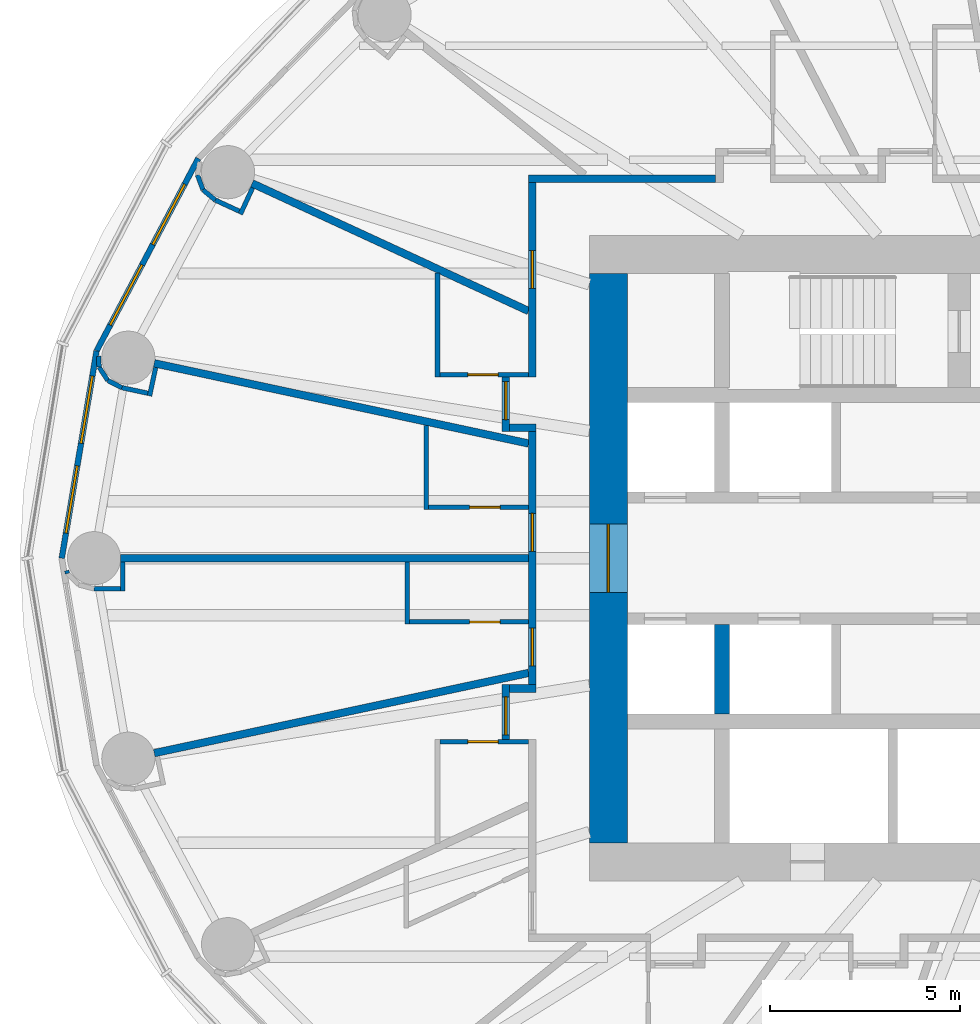
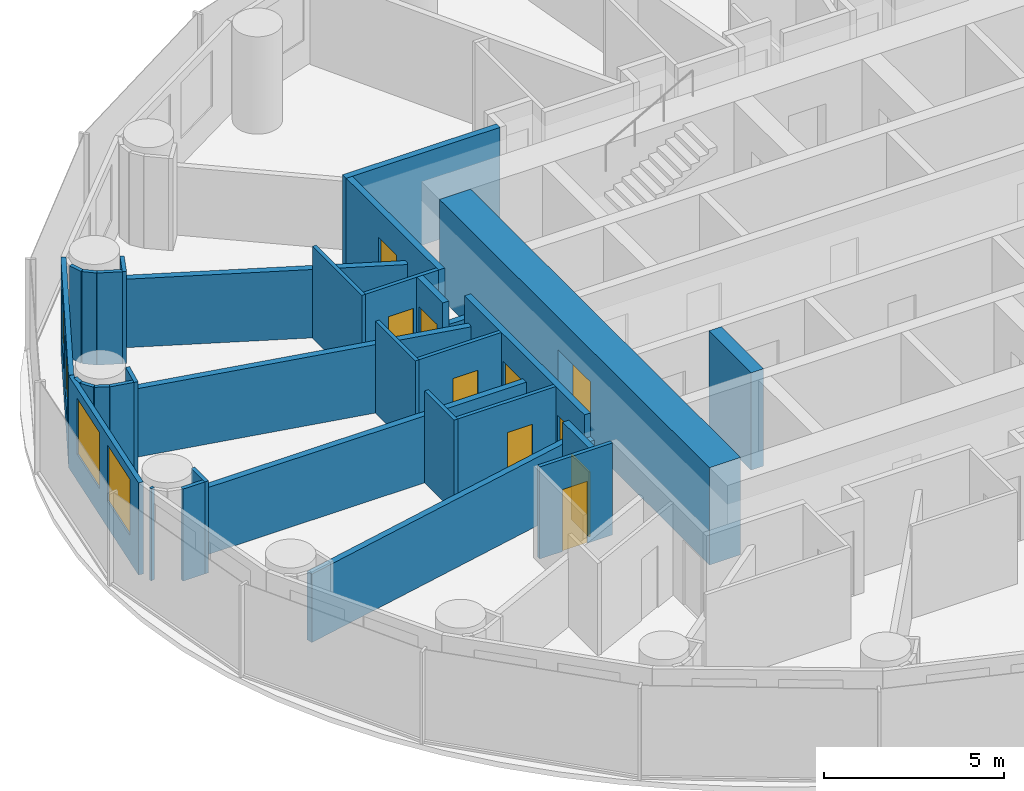
# One storey, part 8 of 14: 34 walls, 10 doors, 4 windows, 14 openings.
"""IFC4 building model written with IfcOpenShell, lengths in metres."""

from ifc_helpers import new_model, si_unit, direction, frame, frame_2d, origin, place, context, subcontext, project, spatial, rectangle, extrude, material, layer, layer_set, type_object, element, fill, save


model = new_model("IFC4")

# Units and contexts
model_context = context("Model", 3, precision=1e-05, world=origin(), true_north=direction((0.0, 1.0)))
body_context = subcontext(model_context, "Body", "Model", "MODEL_VIEW")
ifc_project = project(units=[si_unit("LENGTHUNIT", "METRE"), si_unit("AREAUNIT", "SQUARE_METRE"), si_unit("VOLUMEUNIT", "CUBIC_METRE"), si_unit("PLANEANGLEUNIT", "RADIAN"), si_unit("MASSUNIT", "GRAM", prefix="KILO")], contexts=[model_context])

# Site, building, storey
site_placement = place(None, origin())
site = spatial("IfcSite", under=ifc_project, at=site_placement, CompositionType="ELEMENT")
building_placement = place(site_placement, origin())
building = spatial("IfcBuilding", under=site, at=building_placement, Name="Hankou Lantern Tower", CompositionType="ELEMENT")
storey_placement = place(building_placement, frame((0.0, 0.0, 57.300048828125)))
storey = spatial("IfcBuildingStorey", under=building, at=storey_placement, Name="L13", CompositionType="ELEMENT", Elevation=57.300048828125)

# Wall, opening, door
ifc_material_1 = material(Name="Concrete C60", Category="concrete")
ifc_layer_1 = layer(ifc_material_1, 1.0)
ifc_layer_set_1 = layer_set([ifc_layer_1], Name="Concrete C60")
wall_type_1 = type_object("IfcWallType", Name="CW1 CORE WALL 1000", PredefinedType="SHEAR", material=ifc_layer_set_1)
wall_1_placement = place(storey_placement, frame((-12.0, 7.5, 0.0), z_axis=(0.0, 0.0, 1.0), x_axis=(0.0, -1.0, 0.0)))
wall_1 = element("IfcWall", 1, at=wall_1_placement, inside=storey, type_object=wall_type_1, Name="Core wall west L13", PredefinedType="SHEAR", context=body_context, shape_type="SweptSolid", body=[
    extrude(rectangle(XDim=15.0, YDim=1.0, at=frame_2d((7.5, 0.0))), origin(), (0.0, 0.0, 1.0), 3.300048828125),
])
opening_1_placement = place(wall_1_placement, frame((6.60009765625, 0.0, 0.0)))
opening_1 = element("IfcOpeningElement", 2, at=opening_1_placement, cuts=wall_1, Name="Opening D6", PredefinedType="OPENING", context=body_context, shape_type="SweptSolid", body=[
    extrude(rectangle(XDim=1.800048828125, YDim=2.199951171875, at=frame_2d((0.89990234375, 1.10009765625))), frame((0.0, 0.510009765625, 0.0), z_axis=(0.0, -1.0, 0.0), x_axis=(1.0, 0.0, 0.0)), (0.0, 0.0, 1.0), 1.02001953125),
])
ifc_material_2 = material(Name="Steel door leaf", Category="steel")
door_type_1 = type_object("IfcDoorType", Name="D6 LIFT LOBBY DOOR 1800X2200", OperationType="DOUBLE_DOOR_DOUBLE_SWING", PredefinedType="DOOR", material=ifc_material_2)
door_1_placement = place(opening_1_placement, origin())
door_1 = element("IfcDoor", 3, at=door_1_placement, inside=storey, type_object=door_type_1, Name="Lift lobby west door", OperationType="DOUBLE_DOOR_DOUBLE_SWING", OverallHeight=2.199951171875, OverallWidth=1.800048828125, PredefinedType="DOOR", context=body_context, shape_type="SweptSolid", body=[
    extrude(rectangle(XDim=1.800048828125, YDim=2.199951171875, at=frame_2d((0.89990234375, 1.10009765625))), frame((0.0, 0.02490234375, 0.0), z_axis=(0.0, -1.0, 0.0), x_axis=(1.0, 0.0, 0.0)), (0.0, 0.0, 1.0), 0.050048828125),
])
fill(opening_1, door_1)

# Wall
ifc_material_3 = material(Name="Concrete C60", Category="concrete")
ifc_layer_2 = layer(ifc_material_3, 0.39990234375)
ifc_layer_set_2 = layer_set([ifc_layer_2], Name="Concrete C60")
wall_type_2 = type_object("IfcWallType", Name="CW4 CORE CROSS WALL 400", PredefinedType="SHEAR", material=ifc_layer_set_2)
wall_2_placement = place(storey_placement, frame((-9.0, -4.10009765625, 0.0), z_axis=(0.0, 0.0, 1.0), x_axis=(0.0, 1.0, 0.0)))
element("IfcWall", 4, at=wall_2_placement, inside=storey, type_object=wall_type_2, Name="Core strip wall L13", PredefinedType="SHEAR", context=body_context, shape_type="SweptSolid", body=[
    extrude(rectangle(XDim=2.35009765625, YDim=0.39990234375, at=frame_2d((1.175048828125, 0.0))), origin(), (0.0, 0.0, 1.0), 3.300048828125),
])

# Wall, openings, windows
ifc_material_4 = material(Name="Aluminium spandrel panel on steel studs", Category="steel")
ifc_layer_3 = layer(ifc_material_4, 0.14990234375)
ifc_layer_set_3 = layer_set([ifc_layer_3], Name="Aluminium spandrel panel on steel studs")
wall_type_3 = type_object("IfcWallType", Name="EW1 INNER SKIN WALL 150", PredefinedType="ELEMENTEDWALL", material=ifc_layer_set_3)
wall_3_placement = place(storey_placement, frame((-22.802734375, 10.5322265625, 0.0), z_axis=(0.0, 0.0, 1.0), x_axis=(-0.467296867008, -0.884100468321, 0.0)))
wall_3 = element("IfcWall", 5, at=wall_3_placement, inside=storey, type_object=wall_type_3, Name="Inner skin R11-R12 L13", PredefinedType="ELEMENTEDWALL", context=body_context, shape_type="SweptSolid", body=[
    extrude(rectangle(XDim=5.734375, YDim=0.14990234375, at=frame_2d((2.8671875, 0.0))), origin(), (0.0, 0.0, 1.0), 3.119873046875),
])
opening_2_placement = place(wall_3_placement, frame((0.76708984375, 0.0, 0.89990234375)))
opening_2 = element("IfcOpeningElement", 6, at=opening_2_placement, cuts=wall_3, Name="Opening W1", PredefinedType="OPENING", context=body_context, shape_type="SweptSolid", body=[
    extrude(rectangle(XDim=1.800048828125, YDim=1.89990234375, at=frame_2d((0.89990234375, 0.949951171875))), frame((0.0, 0.0849609375, 0.0), z_axis=(0.0, -1.0, 0.0), x_axis=(1.0, 0.0, 0.0)), (0.0, 0.0, 1.0), 0.169921875),
])
opening_3_placement = place(wall_3_placement, frame((3.167236328125, 0.0, 0.89990234375)))
opening_3 = element("IfcOpeningElement", 7, at=opening_3_placement, cuts=wall_3, Name="Opening W1", PredefinedType="OPENING", context=body_context, shape_type="SweptSolid", body=[
    extrude(rectangle(XDim=1.800048828125, YDim=1.89990234375, at=frame_2d((0.89990234375, 0.949951171875))), frame((0.0, 0.0849609375, 0.0), z_axis=(0.0, -1.0, 0.0), x_axis=(1.0, 0.0, 0.0)), (0.0, 0.0, 1.0), 0.169921875),
])
ifc_material_5 = material(Name="Aluminium framed double glazed window", Category="aluminium")
window_type = type_object("IfcWindowType", Name="W1 GUEST ROOM WINDOW 1800X1900", PartitioningType="DOUBLE_PANEL_VERTICAL", PredefinedType="WINDOW", material=ifc_material_5)
window_1_placement = place(opening_2_placement, origin())
window_1 = element("IfcWindow", 8, at=window_1_placement, inside=storey, type_object=window_type, Name="Window R11.1 L13", OverallHeight=1.89990234375, OverallWidth=1.800048828125, PartitioningType="SINGLE_PANEL", PredefinedType="WINDOW", context=body_context, shape_type="SweptSolid", body=[
    extrude(rectangle(XDim=1.800048828125, YDim=1.89990234375, at=frame_2d((0.89990234375, 0.949951171875))), frame((0.0, 0.030029296875, 0.0), z_axis=(0.0, -1.0, 0.0), x_axis=(1.0, 0.0, 0.0)), (0.0, 0.0, 1.0), 0.06005859375),
])
fill(opening_2, window_1)
window_2_placement = place(opening_3_placement, origin())
window_2 = element("IfcWindow", 9, at=window_2_placement, inside=storey, type_object=window_type, Name="Window R11.2 L13", OverallHeight=1.89990234375, OverallWidth=1.800048828125, PartitioningType="SINGLE_PANEL", PredefinedType="WINDOW", context=body_context, shape_type="SweptSolid", body=[
    extrude(rectangle(XDim=1.800048828125, YDim=1.89990234375, at=frame_2d((0.89990234375, 0.949951171875))), frame((0.0, 0.030029296875, 0.0), z_axis=(0.0, -1.0, 0.0), x_axis=(1.0, 0.0, 0.0)), (0.0, 0.0, 1.0), 0.06005859375),
])
fill(opening_3, window_2)

wall_4_placement = place(storey_placement, frame((-25.482421875, 5.46240234375, 0.0), z_axis=(0.0, 0.0, 1.0), x_axis=(-0.165642551694, -0.986185857264, 0.0)))
wall_4 = element("IfcWall", 10, at=wall_4_placement, inside=storey, type_object=wall_type_3, Name="Inner skin R12-R13 L13", PredefinedType="ELEMENTEDWALL", context=body_context, shape_type="SweptSolid", body=[
    extrude(rectangle(XDim=5.538818359375, YDim=0.14990234375, at=frame_2d((2.76953125, 0.0))), origin(), (0.0, 0.0, 1.0), 3.119873046875),
])
opening_4_placement = place(wall_4_placement, frame((0.66943359375, 0.0, 0.89990234375)))
opening_4 = element("IfcOpeningElement", 11, at=opening_4_placement, cuts=wall_4, Name="Opening W1", PredefinedType="OPENING", context=body_context, shape_type="SweptSolid", body=[
    extrude(rectangle(XDim=1.800048828125, YDim=1.89990234375, at=frame_2d((0.89990234375, 0.949951171875))), frame((0.0, 0.0849609375, 0.0), z_axis=(0.0, -1.0, 0.0), x_axis=(1.0, 0.0, 0.0)), (0.0, 0.0, 1.0), 0.169921875),
])
opening_5_placement = place(wall_4_placement, frame((3.069580078125, 0.0, 0.89990234375)))
opening_5 = element("IfcOpeningElement", 12, at=opening_5_placement, cuts=wall_4, Name="Opening W1", PredefinedType="OPENING", context=body_context, shape_type="SweptSolid", body=[
    extrude(rectangle(XDim=1.800048828125, YDim=1.89990234375, at=frame_2d((0.89990234375, 0.949951171875))), frame((0.0, 0.0849609375, 0.0), z_axis=(0.0, -1.0, 0.0), x_axis=(1.0, 0.0, 0.0)), (0.0, 0.0, 1.0), 0.169921875),
])
window_3_placement = place(opening_4_placement, origin())
window_3 = element("IfcWindow", 13, at=window_3_placement, inside=storey, type_object=window_type, Name="Window R12.1 L13", OverallHeight=1.89990234375, OverallWidth=1.800048828125, PartitioningType="SINGLE_PANEL", PredefinedType="WINDOW", context=body_context, shape_type="SweptSolid", body=[
    extrude(rectangle(XDim=1.800048828125, YDim=1.89990234375, at=frame_2d((0.89990234375, 0.949951171875))), frame((0.0, 0.030029296875, 0.0), z_axis=(0.0, -1.0, 0.0), x_axis=(1.0, 0.0, 0.0)), (0.0, 0.0, 1.0), 0.06005859375),
])
fill(opening_4, window_3)
window_4_placement = place(opening_5_placement, origin())
window_4 = element("IfcWindow", 14, at=window_4_placement, inside=storey, type_object=window_type, Name="Window R12.2 L13", OverallHeight=1.89990234375, OverallWidth=1.800048828125, PartitioningType="SINGLE_PANEL", PredefinedType="WINDOW", context=body_context, shape_type="SweptSolid", body=[
    extrude(rectangle(XDim=1.800048828125, YDim=1.89990234375, at=frame_2d((0.89990234375, 0.949951171875))), frame((0.0, 0.030029296875, 0.0), z_axis=(0.0, -1.0, 0.0), x_axis=(1.0, 0.0, 0.0)), (0.0, 0.0, 1.0), 0.06005859375),
])
fill(opening_5, window_4)

# Walls
ifc_material_6 = material(Name="Masonry lightweight concrete block", Category="masonry")
ifc_layer_4 = layer(ifc_material_6, 0.199951171875)
ifc_layer_set_4 = layer_set([ifc_layer_4], Name="Masonry lightweight concrete block")
wall_type_4 = type_object("IfcWallType", Name="IW1 GUEST ROOM PARTY WALL 200", PredefinedType="PARTITIONING", material=ifc_layer_set_4)
wall_5_placement = place(storey_placement, frame((-14.10009765625, 3.0224609375, 0.0), z_axis=(0.0, 0.0, 1.0), x_axis=(-0.977790014929, 0.209586943072, 0.0)))
element("IfcWall", 15, at=wall_5_placement, inside=storey, type_object=wall_type_4, Name="Party wall R12", PredefinedType="PARTITIONING", context=body_context, shape_type="SweptSolid", body=[
    extrude(rectangle(XDim=10.086669921875, YDim=0.199951171875, at=frame_2d((5.04345703125, 0.0))), origin(), (0.0, 0.0, 1.0), 2.320068359375),
])
wall_6_placement = place(storey_placement, frame((-14.10009765625, 0.0, 0.0), z_axis=(0.0, 0.0, 1.0), x_axis=(-1.0, 0.0, 0.0)))
element("IfcWall", 16, at=wall_6_placement, inside=storey, type_object=wall_type_4, Name="Party wall R13", PredefinedType="PARTITIONING", context=body_context, shape_type="SweptSolid", body=[
    extrude(rectangle(XDim=10.75, YDim=0.199951171875, at=frame_2d((5.375, 0.0))), origin(), (0.0, 0.0, 1.0), 2.27001953125),
])
wall_7_placement = place(storey_placement, frame((-14.10009765625, -3.0224609375, 0.0), z_axis=(0.0, 0.0, 1.0), x_axis=(-0.977790014929, -0.209586943072, 0.0)))
element("IfcWall", 17, at=wall_7_placement, inside=storey, type_object=wall_type_4, Name="Party wall R14", PredefinedType="PARTITIONING", context=body_context, shape_type="SweptSolid", body=[
    extrude(rectangle(XDim=10.086669921875, YDim=0.199951171875, at=frame_2d((5.04345703125, 0.0))), origin(), (0.0, 0.0, 1.0), 2.320068359375),
])

# Wall, opening, door
ifc_material_7 = material(Name="Masonry lightweight concrete block", Category="masonry")
ifc_layer_5 = layer(ifc_material_7, 0.199951171875)
ifc_layer_set_5 = layer_set([ifc_layer_5], Name="Masonry lightweight concrete block")
wall_type_5 = type_object("IfcWallType", Name="IW2 CORRIDOR WALL 200", PredefinedType="PARTITIONING", material=ifc_layer_set_5)
wall_8_placement = place(storey_placement, frame((-14.699951171875, 4.7724609375, 0.0), z_axis=(0.0, 0.0, 1.0), x_axis=(0.0, -1.0, 0.0)))
wall_8 = element("IfcWall", 18, at=wall_8_placement, inside=storey, type_object=wall_type_5, Name="Corridor recess wall 1307 back", PredefinedType="PARTITIONING", context=body_context, shape_type="SweptSolid", body=[
    extrude(rectangle(XDim=1.43994140625, YDim=0.199951171875, at=frame_2d((0.719970703125, 0.0))), origin(), (0.0, 0.0, 1.0), 3.119873046875),
])
opening_6_placement = place(wall_8_placement, frame((0.1201171875, 0.0, 0.0)))
opening_6 = element("IfcOpeningElement", 19, at=opening_6_placement, cuts=wall_8, Name="Opening D1", PredefinedType="OPENING", context=body_context, shape_type="SweptSolid", body=[
    extrude(rectangle(XDim=1.0, YDim=2.199951171875, at=frame_2d((0.5, 1.10009765625))), frame((0.0, 0.10986328125, 0.0), z_axis=(0.0, -1.0, 0.0), x_axis=(1.0, 0.0, 0.0)), (0.0, 0.0, 1.0), 0.219970703125),
])
ifc_material_8 = material(Name="Steel door leaf", Category="steel")
door_type_2 = type_object("IfcDoorType", Name="D1 GUEST ROOM DOOR 1000X2200", OperationType="SINGLE_SWING_LEFT", PredefinedType="DOOR", material=ifc_material_8)
door_2_placement = place(opening_6_placement, origin())
door_2 = element("IfcDoor", 20, at=door_2_placement, inside=storey, type_object=door_type_2, Name="Guest room door 1307", OperationType="SINGLE_SWING_LEFT", OverallHeight=2.199951171875, OverallWidth=1.0, PredefinedType="DOOR", context=body_context, shape_type="SweptSolid", body=[
    extrude(rectangle(XDim=1.0, YDim=2.199951171875, at=frame_2d((0.5, 1.10009765625))), frame((0.0, 0.02490234375, 0.0), z_axis=(0.0, -1.0, 0.0), x_axis=(1.0, 0.0, 0.0)), (0.0, 0.0, 1.0), 0.050048828125),
])
fill(opening_6, door_2)

# Wall
wall_9_placement = place(storey_placement, frame((-13.89990234375, 3.4326171875, 0.0), z_axis=(0.0, 0.0, 1.0), x_axis=(-1.0, 0.0, 0.0)))
element("IfcWall", 21, at=wall_9_placement, inside=storey, type_object=wall_type_5, Name="Corridor recess wall 1307 side", PredefinedType="PARTITIONING", context=body_context, shape_type="SweptSolid", body=[
    extrude(rectangle(XDim=0.7001953125, YDim=0.199951171875, at=frame_2d((0.35009765625, 0.0))), origin(), (0.0, 0.0, 1.0), 2.320068359375),
])

# Wall, opening, door
wall_10_placement = place(storey_placement, frame((-14.699951171875, -3.33251953125, 0.0), z_axis=(0.0, 0.0, 1.0), x_axis=(0.0, -1.0, 0.0)))
wall_10 = element("IfcWall", 22, at=wall_10_placement, inside=storey, type_object=wall_type_5, Name="Corridor recess wall 1310 back", PredefinedType="PARTITIONING", context=body_context, shape_type="SweptSolid", body=[
    extrude(rectangle(XDim=1.43994140625, YDim=0.199951171875, at=frame_2d((0.719970703125, 0.0))), origin(), (0.0, 0.0, 1.0), 3.119873046875),
])
opening_7_placement = place(wall_10_placement, frame((0.320068359375, 0.0, 0.0)))
opening_7 = element("IfcOpeningElement", 23, at=opening_7_placement, cuts=wall_10, Name="Opening D1", PredefinedType="OPENING", context=body_context, shape_type="SweptSolid", body=[
    extrude(rectangle(XDim=1.0, YDim=2.199951171875, at=frame_2d((0.5, 1.10009765625))), frame((0.0, 0.10986328125, 0.0), z_axis=(0.0, -1.0, 0.0), x_axis=(1.0, 0.0, 0.0)), (0.0, 0.0, 1.0), 0.219970703125),
])
door_3_placement = place(opening_7_placement, origin())
door_3 = element("IfcDoor", 24, at=door_3_placement, inside=storey, type_object=door_type_2, Name="Guest room door 1310", OperationType="SINGLE_SWING_RIGHT", OverallHeight=2.199951171875, OverallWidth=1.0, PredefinedType="DOOR", context=body_context, shape_type="SweptSolid", body=[
    extrude(rectangle(XDim=1.0, YDim=2.199951171875, at=frame_2d((0.5, 1.10009765625))), frame((0.0, 0.02490234375, 0.0), z_axis=(0.0, -1.0, 0.0), x_axis=(1.0, 0.0, 0.0)), (0.0, 0.0, 1.0), 0.050048828125),
])
fill(opening_7, door_3)

# Walls
wall_11_placement = place(storey_placement, frame((-13.89990234375, -3.4326171875, 0.0), z_axis=(0.0, 0.0, 1.0), x_axis=(-1.0, 0.0, 0.0)))
element("IfcWall", 25, at=wall_11_placement, inside=storey, type_object=wall_type_5, Name="Corridor recess wall 1310 side", PredefinedType="PARTITIONING", context=body_context, shape_type="SweptSolid", body=[
    extrude(rectangle(XDim=0.7001953125, YDim=0.199951171875, at=frame_2d((0.35009765625, 0.0))), origin(), (0.0, 0.0, 1.0), 2.320068359375),
])
wall_12_placement = place(storey_placement, frame((-14.10009765625, 10.0, 0.0), z_axis=(0.0, 0.0, 1.0), x_axis=(1.0, 0.0, 0.0)))
element("IfcWall", 26, at=wall_12_placement, inside=storey, type_object=wall_type_5, Name="Corridor wall north", PredefinedType="PARTITIONING", context=body_context, shape_type="SweptSolid", body=[
    extrude(rectangle(XDim=4.931396484375, YDim=0.199951171875, at=frame_2d((2.4658203125, 0.0))), origin(), (0.0, 0.0, 1.0), 3.119873046875),
])

# Wall, opening, door
wall_13_placement = place(storey_placement, frame((-14.0, 9.89990234375, 0.0), z_axis=(0.0, 0.0, 1.0), x_axis=(0.0, -1.0, 0.0)))
wall_13 = element("IfcWall", 27, at=wall_13_placement, inside=storey, type_object=wall_type_5, Name="Corridor wall west", PredefinedType="PARTITIONING", context=body_context, shape_type="SweptSolid", body=[
    extrude(rectangle(XDim=5.12744140625, YDim=0.199951171875, at=frame_2d((2.563720703125, 0.0))), origin(), (0.0, 0.0, 1.0), 3.119873046875),
])
opening_8_placement = place(wall_13_placement, frame((1.79248046875, 0.0, 0.0)))
opening_8 = element("IfcOpeningElement", 28, at=opening_8_placement, cuts=wall_13, Name="Opening D28", PredefinedType="OPENING", context=body_context, shape_type="SweptSolid", body=[
    extrude(rectangle(XDim=1.0, YDim=2.199951171875, at=frame_2d((0.5, 1.10009765625))), frame((0.0, 0.10986328125, 0.0), z_axis=(0.0, -1.0, 0.0), x_axis=(1.0, 0.0, 0.0)), (0.0, 0.0, 1.0), 0.219970703125),
])
ifc_material_9 = material(Name="Steel door leaf", Category="steel")
door_type_3 = type_object("IfcDoorType", Name="D28 SERVICE DOOR 1000X2200", OperationType="SINGLE_SWING_LEFT", PredefinedType="DOOR", material=ifc_material_9)
door_4_placement = place(opening_8_placement, origin())
door_4 = element("IfcDoor", 29, at=door_4_placement, inside=storey, type_object=door_type_3, Name="Service door 1306", OperationType="SINGLE_SWING_LEFT", OverallHeight=2.199951171875, OverallWidth=1.0, PredefinedType="DOOR", context=body_context, shape_type="SweptSolid", body=[
    extrude(rectangle(XDim=1.0, YDim=2.199951171875, at=frame_2d((0.5, 1.10009765625))), frame((0.0, 0.02490234375, 0.0), z_axis=(0.0, -1.0, 0.0), x_axis=(1.0, 0.0, 0.0)), (0.0, 0.0, 1.0), 0.050048828125),
])
fill(opening_8, door_4)

# Wall, openings, doors
wall_14_placement = place(storey_placement, frame((-14.0, 3.33251953125, 0.0), z_axis=(0.0, 0.0, 1.0), x_axis=(0.0, -1.0, 0.0)))
wall_14 = element("IfcWall", 30, at=wall_14_placement, inside=storey, type_object=wall_type_5, Name="Corridor wall west", PredefinedType="PARTITIONING", context=body_context, shape_type="SweptSolid", body=[
    extrude(rectangle(XDim=6.6650390625, YDim=0.199951171875, at=frame_2d((3.33251953125, 0.0))), origin(), (0.0, 0.0, 1.0), 3.119873046875),
])
opening_9_placement = place(wall_14_placement, frame((2.14990234375, 0.0, 0.0)))
opening_9 = element("IfcOpeningElement", 31, at=opening_9_placement, cuts=wall_14, Name="Opening D1", PredefinedType="OPENING", context=body_context, shape_type="SweptSolid", body=[
    extrude(rectangle(XDim=1.0, YDim=2.199951171875, at=frame_2d((0.5, 1.10009765625))), frame((0.0, 0.10986328125, 0.0), z_axis=(0.0, -1.0, 0.0), x_axis=(1.0, 0.0, 0.0)), (0.0, 0.0, 1.0), 0.219970703125),
])
opening_10_placement = place(wall_14_placement, frame((5.172607421875, 0.0, 0.0)))
opening_10 = element("IfcOpeningElement", 32, at=opening_10_placement, cuts=wall_14, Name="Opening D1", PredefinedType="OPENING", context=body_context, shape_type="SweptSolid", body=[
    extrude(rectangle(XDim=1.0, YDim=2.199951171875, at=frame_2d((0.5, 1.10009765625))), frame((0.0, 0.10986328125, 0.0), z_axis=(0.0, -1.0, 0.0), x_axis=(1.0, 0.0, 0.0)), (0.0, 0.0, 1.0), 0.219970703125),
])
door_5_placement = place(opening_9_placement, origin())
door_5 = element("IfcDoor", 33, at=door_5_placement, inside=storey, type_object=door_type_2, Name="Guest room door 1308", OperationType="SINGLE_SWING_LEFT", OverallHeight=2.199951171875, OverallWidth=1.0, PredefinedType="DOOR", context=body_context, shape_type="SweptSolid", body=[
    extrude(rectangle(XDim=1.0, YDim=2.199951171875, at=frame_2d((0.5, 1.10009765625))), frame((0.0, 0.02490234375, 0.0), z_axis=(0.0, -1.0, 0.0), x_axis=(1.0, 0.0, 0.0)), (0.0, 0.0, 1.0), 0.050048828125),
])
fill(opening_9, door_5)
door_6_placement = place(opening_10_placement, origin())
door_6 = element("IfcDoor", 34, at=door_6_placement, inside=storey, type_object=door_type_2, Name="Guest room door 1309", OperationType="SINGLE_SWING_RIGHT", OverallHeight=2.199951171875, OverallWidth=1.0, PredefinedType="DOOR", context=body_context, shape_type="SweptSolid", body=[
    extrude(rectangle(XDim=1.0, YDim=2.199951171875, at=frame_2d((0.5, 1.10009765625))), frame((0.0, 0.02490234375, 0.0), z_axis=(0.0, -1.0, 0.0), x_axis=(1.0, 0.0, 0.0)), (0.0, 0.0, 1.0), 0.050048828125),
])
fill(opening_10, door_6)

# Wall
ifc_material_10 = material(Name="Masonry lightweight concrete block", Category="masonry")
ifc_layer_6 = layer(ifc_material_10, 0.1201171875)
ifc_layer_set_6 = layer_set([ifc_layer_6], Name="Masonry lightweight concrete block")
wall_type_6 = type_object("IfcWallType", Name="IW3 BATHROOM WALL 120", PredefinedType="PARTITIONING", material=ifc_layer_set_6)
wall_15_placement = place(storey_placement, frame((-16.5, 7.52099609375, 0.0), z_axis=(0.0, 0.0, 1.0), x_axis=(0.0, -1.0, 0.0)))
element("IfcWall", 35, at=wall_15_placement, inside=storey, type_object=wall_type_6, Name="Box wall 1307 1", PredefinedType="PARTITIONING", context=body_context, shape_type="SweptSolid", body=[
    extrude(rectangle(XDim=2.74853515625, YDim=0.1201171875, at=frame_2d((1.374267578125, 0.0))), origin(), (0.0, 0.0, 1.0), 3.119873046875),
])

# Wall, opening, door
wall_16_placement = place(storey_placement, frame((-14.10009765625, 4.83251953125, 0.0), z_axis=(0.0, 0.0, 1.0), x_axis=(-1.0, 0.0, 0.0)))
wall_16 = element("IfcWall", 36, at=wall_16_placement, inside=storey, type_object=wall_type_6, Name="Box wall 1307 1", PredefinedType="PARTITIONING", context=body_context, shape_type="SweptSolid", body=[
    extrude(rectangle(XDim=2.33984375, YDim=0.1201171875, at=frame_2d((1.169921875, 0.0))), origin(), (0.0, 0.0, 1.0), 3.119873046875),
])
opening_11_placement = place(wall_16_placement, frame((0.800048828125, 0.0, 0.0)))
opening_11 = element("IfcOpeningElement", 37, at=opening_11_placement, cuts=wall_16, Name="Opening D3", PredefinedType="OPENING", context=body_context, shape_type="SweptSolid", body=[
    extrude(rectangle(XDim=0.800048828125, YDim=2.10009765625, at=frame_2d((0.39990234375, 1.050048828125))), frame((0.0, 0.070068359375, 0.0), z_axis=(0.0, -1.0, 0.0), x_axis=(1.0, 0.0, 0.0)), (0.0, 0.0, 1.0), 0.14013671875),
])
ifc_material_11 = material(Name="Timber door leaf", Category="wood")
door_type_4 = type_object("IfcDoorType", Name="D3 BATHROOM DOOR 800X2100", OperationType="SINGLE_SWING_LEFT", PredefinedType="DOOR", material=ifc_material_11)
door_7_placement = place(opening_11_placement, origin())
door_7 = element("IfcDoor", 38, at=door_7_placement, inside=storey, type_object=door_type_4, Name="En-suite bathroom 1307 door", OperationType="SINGLE_SWING_LEFT", OverallHeight=2.10009765625, OverallWidth=0.800048828125, PredefinedType="DOOR", context=body_context, shape_type="SweptSolid", body=[
    extrude(rectangle(XDim=0.800048828125, YDim=2.10009765625, at=frame_2d((0.39990234375, 1.050048828125))), frame((0.0, 0.02490234375, 0.0), z_axis=(0.0, -1.0, 0.0), x_axis=(1.0, 0.0, 0.0)), (0.0, 0.0, 1.0), 0.050048828125),
])
fill(opening_11, door_7)

# Wall
wall_17_placement = place(storey_placement, frame((-16.800048828125, 3.501220703125, 0.0), z_axis=(0.0, 0.0, 1.0), x_axis=(0.0, -1.0, 0.0)))
element("IfcWall", 39, at=wall_17_placement, inside=storey, type_object=wall_type_6, Name="Box wall 1308 1", PredefinedType="PARTITIONING", context=body_context, shape_type="SweptSolid", body=[
    extrude(rectangle(XDim=2.21875, YDim=0.1201171875, at=frame_2d((1.109375, 0.0))), origin(), (0.0, 0.0, 1.0), 3.119873046875),
])

# Wall, opening, door
wall_18_placement = place(storey_placement, frame((-14.10009765625, 1.342529296875, 0.0), z_axis=(0.0, 0.0, 1.0), x_axis=(-1.0, 0.0, 0.0)))
wall_18 = element("IfcWall", 40, at=wall_18_placement, inside=storey, type_object=wall_type_6, Name="Box wall 1308 1", PredefinedType="PARTITIONING", context=body_context, shape_type="SweptSolid", body=[
    extrude(rectangle(XDim=2.639892578125, YDim=0.1201171875, at=frame_2d((1.31982421875, 0.0))), origin(), (0.0, 0.0, 1.0), 3.119873046875),
])
opening_12_placement = place(wall_18_placement, frame((0.75, 0.0, 0.0)))
opening_12 = element("IfcOpeningElement", 41, at=opening_12_placement, cuts=wall_18, Name="Opening D3", PredefinedType="OPENING", context=body_context, shape_type="SweptSolid", body=[
    extrude(rectangle(XDim=0.800048828125, YDim=2.10009765625, at=frame_2d((0.39990234375, 1.050048828125))), frame((0.0, 0.070068359375, 0.0), z_axis=(0.0, -1.0, 0.0), x_axis=(1.0, 0.0, 0.0)), (0.0, 0.0, 1.0), 0.14013671875),
])
door_8_placement = place(opening_12_placement, origin())
door_8 = element("IfcDoor", 42, at=door_8_placement, inside=storey, type_object=door_type_4, Name="En-suite bathroom 1308 door", OperationType="SINGLE_SWING_LEFT", OverallHeight=2.10009765625, OverallWidth=0.800048828125, PredefinedType="DOOR", context=body_context, shape_type="SweptSolid", body=[
    extrude(rectangle(XDim=0.800048828125, YDim=2.10009765625, at=frame_2d((0.39990234375, 1.050048828125))), frame((0.0, 0.02490234375, 0.0), z_axis=(0.0, -1.0, 0.0), x_axis=(1.0, 0.0, 0.0)), (0.0, 0.0, 1.0), 0.050048828125),
])
fill(opening_12, door_8)

# Wall
wall_19_placement = place(storey_placement, frame((-17.300048828125, -0.10009765625, 0.0), z_axis=(0.0, 0.0, 1.0), x_axis=(0.0, -1.0, 0.0)))
element("IfcWall", 43, at=wall_19_placement, inside=storey, type_object=wall_type_6, Name="Box wall 1309 1", PredefinedType="PARTITIONING", context=body_context, shape_type="SweptSolid", body=[
    extrude(rectangle(XDim=1.639892578125, YDim=0.1201171875, at=frame_2d((0.81982421875, 0.0))), origin(), (0.0, 0.0, 1.0), 3.119873046875),
])

# Wall, opening, door
wall_20_placement = place(storey_placement, frame((-14.10009765625, -1.679931640625, 0.0), z_axis=(0.0, 0.0, 1.0), x_axis=(-1.0, 0.0, 0.0)))
wall_20 = element("IfcWall", 44, at=wall_20_placement, inside=storey, type_object=wall_type_6, Name="Box wall 1309 1", PredefinedType="PARTITIONING", context=body_context, shape_type="SweptSolid", body=[
    extrude(rectangle(XDim=3.139892578125, YDim=0.1201171875, at=frame_2d((1.56982421875, 0.0))), origin(), (0.0, 0.0, 1.0), 3.119873046875),
])
opening_13_placement = place(wall_20_placement, frame((0.75, 0.0, 0.0)))
opening_13 = element("IfcOpeningElement", 45, at=opening_13_placement, cuts=wall_20, Name="Opening D3", PredefinedType="OPENING", context=body_context, shape_type="SweptSolid", body=[
    extrude(rectangle(XDim=0.800048828125, YDim=2.10009765625, at=frame_2d((0.39990234375, 1.050048828125))), frame((0.0, 0.070068359375, 0.0), z_axis=(0.0, -1.0, 0.0), x_axis=(1.0, 0.0, 0.0)), (0.0, 0.0, 1.0), 0.14013671875),
])
door_9_placement = place(opening_13_placement, origin())
door_9 = element("IfcDoor", 46, at=door_9_placement, inside=storey, type_object=door_type_4, Name="En-suite bathroom 1309 door", OperationType="SINGLE_SWING_LEFT", OverallHeight=2.10009765625, OverallWidth=0.800048828125, PredefinedType="DOOR", context=body_context, shape_type="SweptSolid", body=[
    extrude(rectangle(XDim=0.800048828125, YDim=2.10009765625, at=frame_2d((0.39990234375, 1.050048828125))), frame((0.0, 0.02490234375, 0.0), z_axis=(0.0, -1.0, 0.0), x_axis=(1.0, 0.0, 0.0)), (0.0, 0.0, 1.0), 0.050048828125),
])
fill(opening_13, door_9)

wall_21_placement = place(storey_placement, frame((-14.10009765625, -4.83251953125, 0.0), z_axis=(0.0, 0.0, 1.0), x_axis=(-1.0, 0.0, 0.0)))
wall_21 = element("IfcWall", 47, at=wall_21_placement, inside=storey, type_object=wall_type_6, Name="Box wall 1310 1", PredefinedType="PARTITIONING", context=body_context, shape_type="SweptSolid", body=[
    extrude(rectangle(XDim=2.33984375, YDim=0.1201171875, at=frame_2d((1.169921875, 0.0))), origin(), (0.0, 0.0, 1.0), 3.119873046875),
])
opening_14_placement = place(wall_21_placement, frame((0.800048828125, 0.0, 0.0)))
opening_14 = element("IfcOpeningElement", 48, at=opening_14_placement, cuts=wall_21, Name="Opening D3", PredefinedType="OPENING", context=body_context, shape_type="SweptSolid", body=[
    extrude(rectangle(XDim=0.800048828125, YDim=2.10009765625, at=frame_2d((0.39990234375, 1.050048828125))), frame((0.0, 0.070068359375, 0.0), z_axis=(0.0, -1.0, 0.0), x_axis=(1.0, 0.0, 0.0)), (0.0, 0.0, 1.0), 0.14013671875),
])
door_10_placement = place(opening_14_placement, origin())
door_10 = element("IfcDoor", 49, at=door_10_placement, inside=storey, type_object=door_type_4, Name="En-suite bathroom 1310 door", OperationType="SINGLE_SWING_RIGHT", OverallHeight=2.10009765625, OverallWidth=0.800048828125, PredefinedType="DOOR", context=body_context, shape_type="SweptSolid", body=[
    extrude(rectangle(XDim=0.800048828125, YDim=2.10009765625, at=frame_2d((0.39990234375, 1.050048828125))), frame((0.0, 0.02490234375, 0.0), z_axis=(0.0, -1.0, 0.0), x_axis=(1.0, 0.0, 0.0)), (0.0, 0.0, 1.0), 0.050048828125),
])
fill(opening_14, door_10)

# Walls
ifc_material_12 = material(Name="Masonry lightweight concrete block", Category="masonry")
ifc_layer_7 = layer(ifc_material_12, 0.1201171875)
ifc_layer_set_7 = layer_set([ifc_layer_7], Name="Masonry lightweight concrete block")
wall_type_7 = type_object("IfcWallType", Name="IW4 PARTITION 120", PredefinedType="PARTITIONING", material=ifc_layer_set_7)
wall_22_placement = place(storey_placement, frame((-21.37109375, 9.7607421875, 0.0), z_axis=(0.0, 0.0, 1.0), x_axis=(-0.419259891039, -0.907866258744, 0.0)))
element("IfcWall", 50, at=wall_22_placement, inside=storey, type_object=wall_type_7, Name="Column casing R11 return", PredefinedType="PARTITIONING", context=body_context, shape_type="SweptSolid", body=[
    extrude(rectangle(XDim=0.767578125, YDim=0.1201171875, at=frame_2d((0.3837890625, 0.0))), origin(), (0.0, 0.0, 1.0), 3.119873046875),
])
wall_23_placement = place(storey_placement, frame((-21.72216796875, 9.1435546875, 0.0), z_axis=(0.0, 0.0, 1.0), x_axis=(-0.907877701396, 0.419235112208, 0.0)))
element("IfcWall", 51, at=wall_23_placement, inside=storey, type_object=wall_type_7, Name="Column casing R11", PredefinedType="PARTITIONING", context=body_context, shape_type="SweptSolid", body=[
    extrude(rectangle(XDim=0.699951171875, YDim=0.1201171875, at=frame_2d((0.35009765625, 0.0))), origin(), (0.0, 0.0, 1.0), 3.119873046875),
])
wall_24_placement = place(storey_placement, frame((-22.357666015625, 9.43701171875, 0.0), z_axis=(0.0, 0.0, 1.0), x_axis=(-0.768412687942, 0.639954639806, 0.0)))
element("IfcWall", 52, at=wall_24_placement, inside=storey, type_object=wall_type_7, Name="Column casing R11", PredefinedType="PARTITIONING", context=body_context, shape_type="SweptSolid", body=[
    extrude(rectangle(XDim=0.418212890625, YDim=0.1201171875, at=frame_2d((0.208984375, 0.0))), origin(), (0.0, 0.0, 1.0), 3.119873046875),
])
wall_25_placement = place(storey_placement, frame((-22.678955078125, 9.70458984375, 0.0), z_axis=(0.0, 0.0, 1.0), x_axis=(-0.345164001646, 0.938542386879, 0.0)))
element("IfcWall", 53, at=wall_25_placement, inside=storey, type_object=wall_type_7, Name="Column casing R11", PredefinedType="PARTITIONING", context=body_context, shape_type="SweptSolid", body=[
    extrude(rectangle(XDim=0.41796875, YDim=0.1201171875, at=frame_2d((0.208984375, 0.0))), origin(), (0.0, 0.0, 1.0), 3.119873046875),
])
wall_26_placement = place(storey_placement, frame((-23.9248046875, 5.026123046875, 0.0), z_axis=(0.0, 0.0, 1.0), x_axis=(-0.209681192172, -0.977769808109, 0.0)))
element("IfcWall", 54, at=wall_26_placement, inside=storey, type_object=wall_type_7, Name="Column casing R12 return", PredefinedType="PARTITIONING", context=body_context, shape_type="SweptSolid", body=[
    extrude(rectangle(XDim=0.767333984375, YDim=0.1201171875, at=frame_2d((0.3837890625, 0.0))), origin(), (0.0, 0.0, 1.0), 3.119873046875),
])
wall_27_placement = place(storey_placement, frame((-24.1318359375, 4.346923828125, 0.0), z_axis=(0.0, 0.0, 1.0), x_axis=(-0.977776882509, 0.209648200638, 0.0)))
element("IfcWall", 55, at=wall_27_placement, inside=storey, type_object=wall_type_7, Name="Column casing R12", PredefinedType="PARTITIONING", context=body_context, shape_type="SweptSolid", body=[
    extrude(rectangle(XDim=0.699951171875, YDim=0.1201171875, at=frame_2d((0.35009765625, 0.0))), origin(), (0.0, 0.0, 1.0), 3.119873046875),
])
for number, where, z_axis, x_axis, name in (
    (56, (-24.816162109375, 4.49365234375, 0.0), (0.0, 0.0, 1.0), (-0.890303208847, 0.455368198623, 0.0), "Column casing R12"),
    (57, (-25.1884765625, 4.68408203125, 0.0), (0.0, 0.0, 1.0), (-0.543057568894, 0.839695466742, 0.0), "Column casing R12"),
):
    element("IfcWall", number, at=place(storey_placement, frame(where, z_axis=z_axis, x_axis=x_axis)), inside=storey, type_object=wall_type_7, Name=name, PredefinedType="PARTITIONING", context=body_context, shape_type="SweptSolid", body=[
        extrude(rectangle(XDim=0.418212890625, YDim=0.1201171875, at=frame_2d((0.208984375, 0.0))), origin(), (0.0, 0.0, 1.0), 3.119873046875),
    ])
wall_28_placement = place(storey_placement, frame((-25.41552734375, 5.03515625, 0.0), z_axis=(0.0, 0.0, 1.0), x_axis=(-0.050406329159, 0.998728793007, 0.0)))
element("IfcWall", 58, at=wall_28_placement, inside=storey, type_object=wall_type_7, Name="Column casing R12", PredefinedType="PARTITIONING", context=body_context, shape_type="SweptSolid", body=[
    extrude(rectangle(XDim=0.28564453125, YDim=0.1201171875, at=frame_2d((0.142822265625, 0.0))), origin(), (0.0, 0.0, 1.0), 3.119873046875),
])
wall_29_placement = place(storey_placement, frame((-24.7900390625, -0.10009765625, 0.0), z_axis=(0.0, 0.0, 1.0), x_axis=(0.0, -1.0, 0.0)))
element("IfcWall", 59, at=wall_29_placement, inside=storey, type_object=wall_type_7, Name="Column casing R13 return", PredefinedType="PARTITIONING", context=body_context, shape_type="SweptSolid", body=[
    extrude(rectangle(XDim=0.767333984375, YDim=0.1201171875, at=frame_2d((0.3837890625, 0.0))), origin(), (0.0, 0.0, 1.0), 3.119873046875),
])
wall_30_placement = place(storey_placement, frame((-24.85009765625, -0.8076171875, 0.0), z_axis=(0.0, 0.0, 1.0), x_axis=(-1.0, 0.0, 0.0)))
element("IfcWall", 60, at=wall_30_placement, inside=storey, type_object=wall_type_7, Name="Column casing R13", PredefinedType="PARTITIONING", context=body_context, shape_type="SweptSolid", body=[
    extrude(rectangle(XDim=0.699951171875, YDim=0.1201171875, at=frame_2d((0.35009765625, 0.0))), origin(), (0.0, 0.0, 1.0), 3.119873046875),
])
wall_31_placement = place(storey_placement, frame((-26.249267578125, -0.40380859375, 0.0), z_axis=(0.0, 0.0, 1.0), x_axis=(-0.259754282609, 0.965674744759, 0.0)))
element("IfcWall", 61, at=wall_31_placement, inside=storey, type_object=wall_type_7, Name="Column casing R13", PredefinedType="PARTITIONING", context=body_context, shape_type="SweptSolid", body=[
    extrude(rectangle(XDim=0.079833984375, YDim=0.1201171875, at=frame_2d((0.0400390625, 0.0))), origin(), (0.0, 0.0, 1.0), 3.119873046875),
])
ifc_material_13 = material(Name="Masonry lightweight concrete block", Category="masonry")
ifc_layer_8 = layer(ifc_material_13, 0.199951171875)
ifc_layer_set_8 = layer_set([ifc_layer_8], Name="Masonry lightweight concrete block")
wall_type_8 = type_object("IfcWallType", Name="IW8 PARTITION 200", PredefinedType="PARTITIONING", material=ifc_layer_set_8)
wall_32_placement = place(storey_placement, frame((-14.10009765625, 6.512451171875, 0.0), z_axis=(0.0, 0.0, 1.0), x_axis=(-0.907832871056, 0.419332181247, 0.0)))
element("IfcWall", 62, at=wall_32_placement, inside=storey, type_object=wall_type_8, Name="Partition R11", PredefinedType="PARTITIONING", context=body_context, shape_type="SweptSolid", body=[
    extrude(rectangle(XDim=8.02294921875, YDim=0.199951171875, at=frame_2d((4.011474609375, 0.0))), origin(), (0.0, 0.0, 1.0), 2.320068359375),
])

save(model, "model.ifc")
